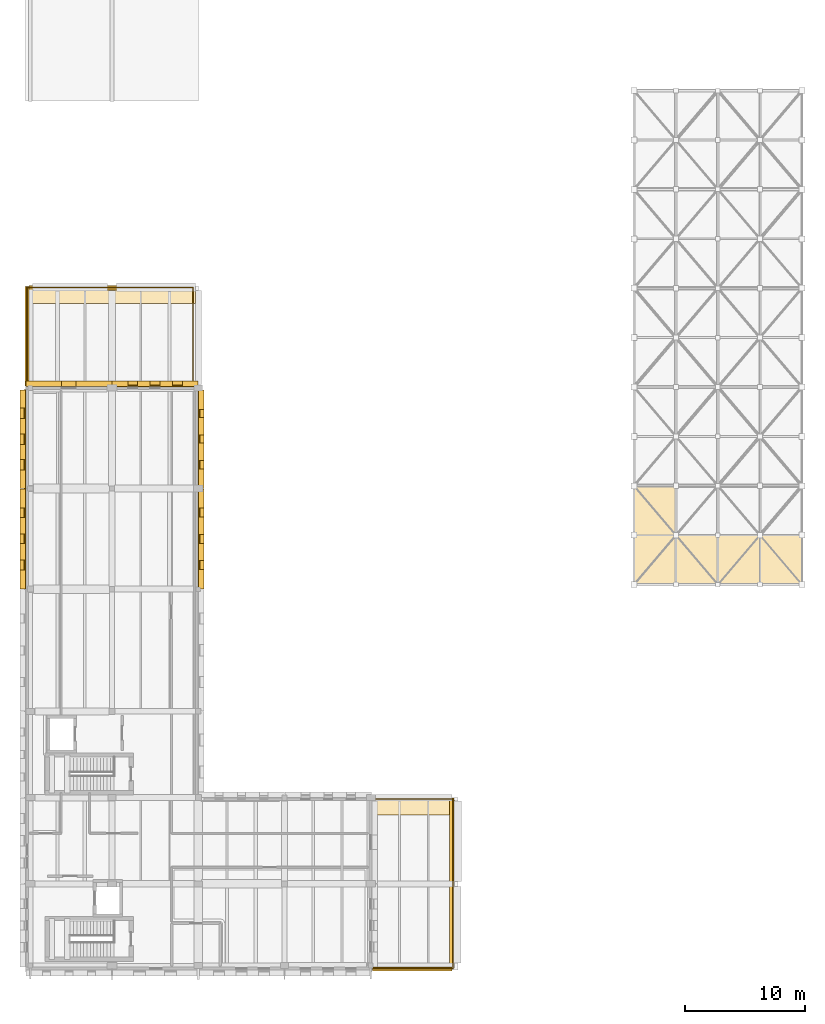
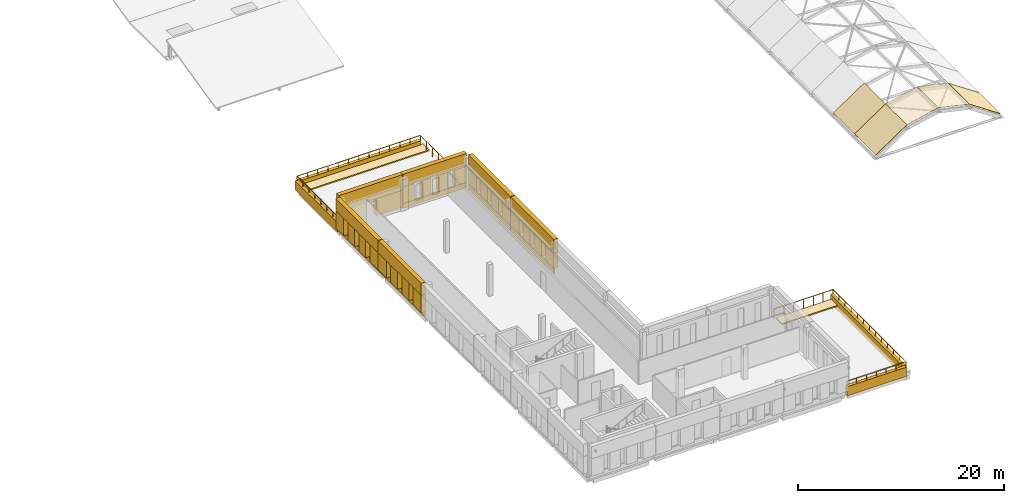
# One storey, part 14 of 15: 44 coverings, 2 railings.
"""IFC4 building model written with IfcOpenShell, lengths in metres."""

from ifc_helpers import new_model, si_unit, direction, frame, origin, origin_2d, place, context, subcontext, project, spatial, polyline, circle, outline, extrude, material, layer, layer_set, type_object, element, save


model = new_model("IFC4")

# Units and contexts
model_context = context("Model", 3, precision=1e-05, world=origin(), true_north=direction((0.0, 1.0)))
body_context = subcontext(model_context, "Body", "Model", "MODEL_VIEW")
ifc_project = project(units=[si_unit("LENGTHUNIT", "METRE"), si_unit("AREAUNIT", "SQUARE_METRE"), si_unit("VOLUMEUNIT", "CUBIC_METRE"), si_unit("PLANEANGLEUNIT", "RADIAN"), si_unit("MASSUNIT", "GRAM", prefix="KILO")], contexts=[model_context])

# Site, building, storey
site_placement = place(None, origin())
site = spatial("IfcSite", under=ifc_project, at=site_placement, CompositionType="ELEMENT")
building_placement = place(site_placement, origin())
building = spatial("IfcBuilding", under=site, at=building_placement, Name="Vardoun Plaza Health Centre", CompositionType="ELEMENT")
storey_placement = place(building_placement, frame((0.0, 0.0, 17.10009765625)))
storey = spatial("IfcBuildingStorey", under=building, at=storey_placement, Name="L04", CompositionType="ELEMENT", Elevation=17.10009765625)

# Coverings
ifc_material_1 = material(Name="Pale Limestone Concrete C35/45", Category="masonry")
ifc_layer_1 = layer(ifc_material_1, 0.080078125)
ifc_layer_set_1 = layer_set([ifc_layer_1], Name="Pale Limestone Concrete C35/45")
covering_type_1 = type_object("IfcCoveringType", Name="CL-EXT1", PredefinedType="CLADDING", material=ifc_layer_set_1)
covering_1_placement = place(storey_placement, frame((0.0, 0.0, 2.2099609375)))
element("IfcCovering", 1, at=covering_1_placement, inside=storey, type_object=covering_type_1, Name="V2 L04 Sculpted Concrete Eyebrow Hood 456", PredefinedType="CLADDING", context=body_context, shape_type="SweptSolid", body=[
    extrude(outline(polyline([(4.52001953125, 53.199951171875), (11.679931640625, 53.199951171875), (11.679931640625, 53.679931640625), (4.52001953125, 53.679931640625), (4.52001953125, 53.199951171875)])), origin(), (0.0, 0.0, 1.0), 1.83984375),
])
covering_2_placement = place(storey_placement, frame((0.0, 0.0, 0.18994140625)))
element("IfcCovering", 2, at=covering_2_placement, inside=storey, type_object=covering_type_1, Name="V2 L04 Deep-Punched Slot Concrete Reveal Pier 457", PredefinedType="CLADDING", context=body_context, shape_type="SweptSolid", body=[
    extrude(outline(polyline([(4.52001953125, 53.199951171875), (7.5048828125, 53.199951171875), (7.5048828125, 53.679931640625), (4.52001953125, 53.679931640625), (4.52001953125, 53.199951171875)])), origin(), (0.0, 0.0, 1.0), 2.02001953125),
])
covering_3_placement = place(storey_placement, frame((0.0, 0.0, 0.18994140625)))
element("IfcCovering", 3, at=covering_3_placement, inside=storey, type_object=covering_type_1, Name="V2 L04 Deep-Punched Slot Concrete Reveal Pier 458", PredefinedType="CLADDING", context=body_context, shape_type="SweptSolid", body=[
    extrude(outline(polyline([(8.695068359375, 53.199951171875), (11.679931640625, 53.199951171875), (11.679931640625, 53.679931640625), (8.695068359375, 53.679931640625), (8.695068359375, 53.199951171875)])), origin(), (0.0, 0.0, 1.0), 2.02001953125),
])
covering_4_placement = place(storey_placement, origin())
element("IfcCovering", 4, at=covering_4_placement, inside=storey, type_object=covering_type_1, Name="V2 L04 Pale Concrete Sill Band 459", PredefinedType="CLADDING", context=body_context, shape_type="SweptSolid", body=[
    extrude(outline(polyline([(11.719970703125, 53.199951171875), (18.8798828125, 53.199951171875), (18.8798828125, 53.340087890625), (11.719970703125, 53.340087890625), (11.719970703125, 53.199951171875)])), origin(), (0.0, 0.0, 1.0), 0.599853515625),
])
covering_5_placement = place(storey_placement, frame((0.0, 0.0, 2.5498046875)))
element("IfcCovering", 5, at=covering_5_placement, inside=storey, type_object=covering_type_1, Name="V2 L04 Sculpted Concrete Eyebrow Hood 460", PredefinedType="CLADDING", context=body_context, shape_type="SweptSolid", body=[
    extrude(outline(polyline([(11.719970703125, 53.199951171875), (18.8798828125, 53.199951171875), (18.8798828125, 53.679931640625), (11.719970703125, 53.679931640625), (11.719970703125, 53.199951171875)])), origin(), (0.0, 0.0, 1.0), 1.5),
])
covering_6_placement = place(storey_placement, frame((0.0, 0.0, 0.599853515625)))
element("IfcCovering", 6, at=covering_6_placement, inside=storey, type_object=covering_type_1, Name="V2 L04 Deep-Punched Slot Concrete Reveal Pier 461", PredefinedType="CLADDING", context=body_context, shape_type="SweptSolid", body=[
    extrude(outline(polyline([(11.719970703125, 53.199951171875), (13.01806640625, 53.199951171875), (13.01806640625, 53.679931640625), (11.719970703125, 53.679931640625), (11.719970703125, 53.199951171875)])), origin(), (0.0, 0.0, 1.0), 1.949951171875),
])
covering_7_placement = place(storey_placement, frame((0.0, 0.0, 0.599853515625)))
element("IfcCovering", 7, at=covering_7_placement, inside=storey, type_object=covering_type_1, Name="V2 L04 Deep-Punched Slot Concrete Reveal Pier 462", PredefinedType="CLADDING", context=body_context, shape_type="SweptSolid", body=[
    extrude(outline(polyline([(13.837890625, 53.199951171875), (14.889892578125, 53.199951171875), (14.889892578125, 53.679931640625), (13.837890625, 53.679931640625), (13.837890625, 53.199951171875)])), origin(), (0.0, 0.0, 1.0), 1.949951171875),
])
covering_8_placement = place(storey_placement, frame((0.0, 0.0, 0.599853515625)))
element("IfcCovering", 8, at=covering_8_placement, inside=storey, type_object=covering_type_1, Name="V2 L04 Deep-Punched Slot Concrete Reveal Pier 463", PredefinedType="CLADDING", context=body_context, shape_type="SweptSolid", body=[
    extrude(outline(polyline([(15.7099609375, 53.199951171875), (16.761962890625, 53.199951171875), (16.761962890625, 53.679931640625), (15.7099609375, 53.679931640625), (15.7099609375, 53.199951171875)])), origin(), (0.0, 0.0, 1.0), 1.949951171875),
])
covering_9_placement = place(storey_placement, frame((0.0, 0.0, 0.599853515625)))
element("IfcCovering", 9, at=covering_9_placement, inside=storey, type_object=covering_type_1, Name="V2 L04 Deep-Punched Slot Concrete Reveal Pier 464", PredefinedType="CLADDING", context=body_context, shape_type="SweptSolid", body=[
    extrude(outline(polyline([(17.58203125, 53.199951171875), (18.8798828125, 53.199951171875), (18.8798828125, 53.679931640625), (17.58203125, 53.679931640625), (17.58203125, 53.199951171875)])), origin(), (0.0, 0.0, 1.0), 1.949951171875),
])
covering_10_placement = place(storey_placement, origin())
element("IfcCovering", 10, at=covering_10_placement, inside=storey, type_object=covering_type_1, Name="V2 L04 Pale Concrete Sill Band 465", PredefinedType="CLADDING", context=body_context, shape_type="SweptSolid", body=[
    extrude(outline(polyline([(18.89990234375, 52.929931640625), (18.89990234375, 44.719970703125), (19.0400390625, 44.719970703125), (19.0400390625, 52.929931640625), (18.89990234375, 52.929931640625)])), origin(), (0.0, 0.0, 1.0), 0.599853515625),
])
covering_11_placement = place(storey_placement, frame((0.0, 0.0, 2.449951171875)))
element("IfcCovering", 11, at=covering_11_placement, inside=storey, type_object=covering_type_1, Name="V2 L04 Sculpted Concrete Eyebrow Hood 466", PredefinedType="CLADDING", context=body_context, shape_type="SweptSolid", body=[
    extrude(outline(polyline([(18.89990234375, 52.929931640625), (18.89990234375, 44.719970703125), (19.3798828125, 44.719970703125), (19.3798828125, 52.929931640625), (18.89990234375, 52.929931640625)])), origin(), (0.0, 0.0, 1.0), 1.599853515625),
])
covering_12_placement = place(storey_placement, frame((0.0, 0.0, 0.599853515625)))
element("IfcCovering", 12, at=covering_12_placement, inside=storey, type_object=covering_type_1, Name="V2 L04 Deep-Punched Slot Concrete Reveal Pier 467", PredefinedType="CLADDING", context=body_context, shape_type="SweptSolid", body=[
    extrude(outline(polyline([(18.89990234375, 52.929931640625), (18.89990234375, 51.31005859375), (19.3798828125, 51.31005859375), (19.3798828125, 52.929931640625), (18.89990234375, 52.929931640625)])), origin(), (0.0, 0.0, 1.0), 1.85009765625),
])
covering_13_placement = place(storey_placement, frame((0.0, 0.0, 0.599853515625)))
element("IfcCovering", 13, at=covering_13_placement, inside=storey, type_object=covering_type_1, Name="V2 L04 Deep-Punched Slot Concrete Reveal Pier 468", PredefinedType="CLADDING", context=body_context, shape_type="SweptSolid", body=[
    extrude(outline(polyline([(18.89990234375, 50.6298828125), (18.89990234375, 49.1650390625), (19.3798828125, 49.1650390625), (19.3798828125, 50.6298828125), (18.89990234375, 50.6298828125)])), origin(), (0.0, 0.0, 1.0), 1.85009765625),
])
covering_14_placement = place(storey_placement, frame((0.0, 0.0, 0.599853515625)))
element("IfcCovering", 14, at=covering_14_placement, inside=storey, type_object=covering_type_1, Name="V2 L04 Deep-Punched Slot Concrete Reveal Pier 469", PredefinedType="CLADDING", context=body_context, shape_type="SweptSolid", body=[
    extrude(outline(polyline([(18.89990234375, 48.485107421875), (18.89990234375, 47.02001953125), (19.3798828125, 47.02001953125), (19.3798828125, 48.485107421875), (18.89990234375, 48.485107421875)])), origin(), (0.0, 0.0, 1.0), 1.85009765625),
])
covering_15_placement = place(storey_placement, frame((0.0, 0.0, 0.599853515625)))
element("IfcCovering", 15, at=covering_15_placement, inside=storey, type_object=covering_type_1, Name="V2 L04 Deep-Punched Slot Concrete Reveal Pier 470", PredefinedType="CLADDING", context=body_context, shape_type="SweptSolid", body=[
    extrude(outline(polyline([(18.89990234375, 46.340087890625), (18.89990234375, 44.719970703125), (19.3798828125, 44.719970703125), (19.3798828125, 46.340087890625), (18.89990234375, 46.340087890625)])), origin(), (0.0, 0.0, 1.0), 1.85009765625),
])
covering_16_placement = place(storey_placement, origin())
element("IfcCovering", 16, at=covering_16_placement, inside=storey, type_object=covering_type_1, Name="V2 L04 Pale Concrete Sill Band 471", PredefinedType="CLADDING", context=body_context, shape_type="SweptSolid", body=[
    extrude(outline(polyline([(18.89990234375, 44.679931640625), (18.89990234375, 36.320068359375), (19.0400390625, 36.320068359375), (19.0400390625, 44.679931640625), (18.89990234375, 44.679931640625)])), origin(), (0.0, 0.0, 1.0), 0.599853515625),
])
covering_17_placement = place(storey_placement, frame((0.0, 0.0, 2.449951171875)))
element("IfcCovering", 17, at=covering_17_placement, inside=storey, type_object=covering_type_1, Name="V2 L04 Sculpted Concrete Eyebrow Hood 472", PredefinedType="CLADDING", context=body_context, shape_type="SweptSolid", body=[
    extrude(outline(polyline([(18.89990234375, 44.679931640625), (18.89990234375, 36.320068359375), (19.3798828125, 36.320068359375), (19.3798828125, 44.679931640625), (18.89990234375, 44.679931640625)])), origin(), (0.0, 0.0, 1.0), 1.599853515625),
])
covering_18_placement = place(storey_placement, frame((0.0, 0.0, 0.599853515625)))
element("IfcCovering", 18, at=covering_18_placement, inside=storey, type_object=covering_type_1, Name="V2 L04 Deep-Punched Slot Concrete Reveal Pier 473", PredefinedType="CLADDING", context=body_context, shape_type="SweptSolid", body=[
    extrude(outline(polyline([(18.89990234375, 44.679931640625), (18.89990234375, 43.06396484375), (19.3798828125, 43.06396484375), (19.3798828125, 44.679931640625), (18.89990234375, 44.679931640625)])), origin(), (0.0, 0.0, 1.0), 1.85009765625),
])
covering_19_placement = place(storey_placement, frame((0.0, 0.0, 0.599853515625)))
element("IfcCovering", 19, at=covering_19_placement, inside=storey, type_object=covering_type_1, Name="V2 L04 Deep-Punched Slot Concrete Reveal Pier 474", PredefinedType="CLADDING", context=body_context, shape_type="SweptSolid", body=[
    extrude(outline(polyline([(18.89990234375, 42.303955078125), (18.89990234375, 40.8798828125), (19.3798828125, 40.8798828125), (19.3798828125, 42.303955078125), (18.89990234375, 42.303955078125)])), origin(), (0.0, 0.0, 1.0), 1.85009765625),
])
covering_20_placement = place(storey_placement, frame((0.0, 0.0, 0.599853515625)))
element("IfcCovering", 20, at=covering_20_placement, inside=storey, type_object=covering_type_1, Name="V2 L04 Deep-Punched Slot Concrete Reveal Pier 475", PredefinedType="CLADDING", context=body_context, shape_type="SweptSolid", body=[
    extrude(outline(polyline([(18.89990234375, 40.1201171875), (18.89990234375, 38.696044921875), (19.3798828125, 38.696044921875), (19.3798828125, 40.1201171875), (18.89990234375, 40.1201171875)])), origin(), (0.0, 0.0, 1.0), 1.85009765625),
])
covering_21_placement = place(storey_placement, frame((0.0, 0.0, 0.599853515625)))
element("IfcCovering", 21, at=covering_21_placement, inside=storey, type_object=covering_type_1, Name="V2 L04 Deep-Punched Slot Concrete Reveal Pier 476", PredefinedType="CLADDING", context=body_context, shape_type="SweptSolid", body=[
    extrude(outline(polyline([(18.89990234375, 37.93603515625), (18.89990234375, 36.320068359375), (19.3798828125, 36.320068359375), (19.3798828125, 37.93603515625), (18.89990234375, 37.93603515625)])), origin(), (0.0, 0.0, 1.0), 1.85009765625),
])
covering_22_placement = place(storey_placement, origin())
element("IfcCovering", 22, at=covering_22_placement, inside=storey, type_object=covering_type_1, Name="V2 L04 Pale Concrete Sill Band 556", PredefinedType="CLADDING", context=body_context, shape_type="SweptSolid", body=[
    extrude(outline(polyline([(4.5, 36.320068359375), (4.5, 44.679931640625), (4.360107421875, 44.679931640625), (4.360107421875, 36.320068359375), (4.5, 36.320068359375)])), origin(), (0.0, 0.0, 1.0), 0.5498046875),
])
covering_23_placement = place(storey_placement, frame((0.0, 0.0, 2.60986328125)))
element("IfcCovering", 23, at=covering_23_placement, inside=storey, type_object=covering_type_1, Name="V2 L04 Sculpted Concrete Eyebrow Hood 557", PredefinedType="CLADDING", context=body_context, shape_type="SweptSolid", body=[
    extrude(outline(polyline([(4.5, 36.320068359375), (4.5, 44.679931640625), (4.02001953125, 44.679931640625), (4.02001953125, 36.320068359375), (4.5, 36.320068359375)])), origin(), (0.0, 0.0, 1.0), 1.43994140625),
])
covering_24_placement = place(storey_placement, frame((0.0, 0.0, 0.5498046875)))
element("IfcCovering", 24, at=covering_24_placement, inside=storey, type_object=covering_type_1, Name="V2 L04 Deep-Punched Slot Concrete Reveal Pier 558", PredefinedType="CLADDING", context=body_context, shape_type="SweptSolid", body=[
    extrude(outline(polyline([(4.5, 36.320068359375), (4.5, 37.910888671875), (4.02001953125, 37.910888671875), (4.02001953125, 36.320068359375), (4.5, 36.320068359375)])), origin(), (0.0, 0.0, 1.0), 2.06005859375),
])
covering_25_placement = place(storey_placement, frame((0.0, 0.0, 0.5498046875)))
element("IfcCovering", 25, at=covering_25_placement, inside=storey, type_object=covering_type_1, Name="V2 L04 Deep-Punched Slot Concrete Reveal Pier 559", PredefinedType="CLADDING", context=body_context, shape_type="SweptSolid", body=[
    extrude(outline(polyline([(4.5, 38.720947265625), (4.5, 40.094970703125), (4.02001953125, 40.094970703125), (4.02001953125, 38.720947265625), (4.5, 38.720947265625)])), origin(), (0.0, 0.0, 1.0), 2.06005859375),
])
covering_26_placement = place(storey_placement, frame((0.0, 0.0, 0.5498046875)))
element("IfcCovering", 26, at=covering_26_placement, inside=storey, type_object=covering_type_1, Name="V2 L04 Deep-Punched Slot Concrete Reveal Pier 560", PredefinedType="CLADDING", context=body_context, shape_type="SweptSolid", body=[
    extrude(outline(polyline([(4.5, 40.905029296875), (4.5, 42.279052734375), (4.02001953125, 42.279052734375), (4.02001953125, 40.905029296875), (4.5, 40.905029296875)])), origin(), (0.0, 0.0, 1.0), 2.06005859375),
])
covering_27_placement = place(storey_placement, frame((0.0, 0.0, 0.5498046875)))
element("IfcCovering", 27, at=covering_27_placement, inside=storey, type_object=covering_type_1, Name="V2 L04 Deep-Punched Slot Concrete Reveal Pier 561", PredefinedType="CLADDING", context=body_context, shape_type="SweptSolid", body=[
    extrude(outline(polyline([(4.5, 43.089111328125), (4.5, 44.679931640625), (4.02001953125, 44.679931640625), (4.02001953125, 43.089111328125), (4.5, 43.089111328125)])), origin(), (0.0, 0.0, 1.0), 2.06005859375),
])
covering_28_placement = place(storey_placement, origin())
element("IfcCovering", 28, at=covering_28_placement, inside=storey, type_object=covering_type_1, Name="V2 L04 Pale Concrete Sill Band 562", PredefinedType="CLADDING", context=body_context, shape_type="SweptSolid", body=[
    extrude(outline(polyline([(4.5, 44.719970703125), (4.5, 52.929931640625), (4.360107421875, 52.929931640625), (4.360107421875, 44.719970703125), (4.5, 44.719970703125)])), origin(), (0.0, 0.0, 1.0), 0.5498046875),
])
covering_29_placement = place(storey_placement, frame((0.0, 0.0, 2.60986328125)))
element("IfcCovering", 29, at=covering_29_placement, inside=storey, type_object=covering_type_1, Name="V2 L04 Sculpted Concrete Eyebrow Hood 563", PredefinedType="CLADDING", context=body_context, shape_type="SweptSolid", body=[
    extrude(outline(polyline([(4.5, 44.719970703125), (4.5, 52.929931640625), (4.02001953125, 52.929931640625), (4.02001953125, 44.719970703125), (4.5, 44.719970703125)])), origin(), (0.0, 0.0, 1.0), 1.43994140625),
])
covering_30_placement = place(storey_placement, frame((0.0, 0.0, 0.5498046875)))
element("IfcCovering", 30, at=covering_30_placement, inside=storey, type_object=covering_type_1, Name="V2 L04 Deep-Punched Slot Concrete Reveal Pier 564", PredefinedType="CLADDING", context=body_context, shape_type="SweptSolid", body=[
    extrude(outline(polyline([(4.5, 44.719970703125), (4.5, 46.2451171875), (4.02001953125, 46.2451171875), (4.02001953125, 44.719970703125), (4.5, 44.719970703125)])), origin(), (0.0, 0.0, 1.0), 2.06005859375),
])
covering_31_placement = place(storey_placement, frame((0.0, 0.0, 0.5498046875)))
element("IfcCovering", 31, at=covering_31_placement, inside=storey, type_object=covering_type_1, Name="V2 L04 Deep-Punched Slot Concrete Reveal Pier 565", PredefinedType="CLADDING", context=body_context, shape_type="SweptSolid", body=[
    extrude(outline(polyline([(4.5, 47.114990234375), (4.5, 48.389892578125), (4.02001953125, 48.389892578125), (4.02001953125, 47.114990234375), (4.5, 47.114990234375)])), origin(), (0.0, 0.0, 1.0), 2.06005859375),
])
covering_32_placement = place(storey_placement, frame((0.0, 0.0, 0.5498046875)))
element("IfcCovering", 32, at=covering_32_placement, inside=storey, type_object=covering_type_1, Name="V2 L04 Deep-Punched Slot Concrete Reveal Pier 566", PredefinedType="CLADDING", context=body_context, shape_type="SweptSolid", body=[
    extrude(outline(polyline([(4.5, 49.260009765625), (4.5, 50.534912109375), (4.02001953125, 50.534912109375), (4.02001953125, 49.260009765625), (4.5, 49.260009765625)])), origin(), (0.0, 0.0, 1.0), 2.06005859375),
])
covering_33_placement = place(storey_placement, frame((0.0, 0.0, 0.5498046875)))
element("IfcCovering", 33, at=covering_33_placement, inside=storey, type_object=covering_type_1, Name="V2 L04 Deep-Punched Slot Concrete Reveal Pier 567", PredefinedType="CLADDING", context=body_context, shape_type="SweptSolid", body=[
    extrude(outline(polyline([(4.5, 51.405029296875), (4.5, 52.929931640625), (4.02001953125, 52.929931640625), (4.02001953125, 51.405029296875), (4.5, 51.405029296875)])), origin(), (0.0, 0.0, 1.0), 2.06005859375),
])
covering_34_placement = place(storey_placement, frame((0.0, 0.0, -0.280029296875)))
element("IfcCovering", 34, at=covering_34_placement, inside=storey, type_object=covering_type_1, Name="V2 L04 Sculpted White Terrace Planter Ribbon W1", PredefinedType="CLADDING", context=body_context, shape_type="SweptSolid", body=[
    extrude(outline(polyline([(4.419921875, 53.25), (4.780029296875, 53.25), (4.780029296875, 61.550048828125), (4.419921875, 61.550048828125), (4.419921875, 53.25)])), origin(), (0.0, 0.0, 1.0), 1.08984375),
])
covering_35_placement = place(storey_placement, frame((0.0, 0.0, -0.280029296875)))
element("IfcCovering", 35, at=covering_35_placement, inside=storey, type_object=covering_type_1, Name="V2 L04 Sculpted White Terrace Planter Ribbon N1", PredefinedType="CLADDING", context=body_context, shape_type="SweptSolid", body=[
    extrude(outline(polyline([(4.780029296875, 61.280029296875), (18.39990234375, 61.280029296875), (18.39990234375, 61.659912109375), (4.780029296875, 61.659912109375), (4.780029296875, 61.280029296875)])), origin(), (0.0, 0.0, 1.0), 1.08984375),
])
covering_36_placement = place(storey_placement, frame((0.0, 0.0, -0.280029296875)))
element("IfcCovering", 36, at=covering_36_placement, inside=storey, type_object=covering_type_1, Name="V2 L04 Sculpted White Terrace Planter Ribbon S2", PredefinedType="CLADDING", context=body_context, shape_type="SweptSolid", body=[
    extrude(outline(polyline([(33.449951171875, 4.419921875), (40.10009765625, 4.419921875), (40.10009765625, 4.780029296875), (33.449951171875, 4.780029296875), (33.449951171875, 4.419921875)])), origin(), (0.0, 0.0, 1.0), 1.08984375),
])
covering_37_placement = place(storey_placement, frame((0.0, 0.0, -0.280029296875)))
element("IfcCovering", 37, at=covering_37_placement, inside=storey, type_object=covering_type_1, Name="V2 L04 Sculpted White Terrace Planter Ribbon E2", PredefinedType="CLADDING", context=body_context, shape_type="SweptSolid", body=[
    extrude(outline(polyline([(39.8798828125, 4.780029296875), (40.239990234375, 4.780029296875), (40.239990234375, 18.85009765625), (39.8798828125, 18.85009765625), (39.8798828125, 4.780029296875)])), origin(), (0.0, 0.0, 1.0), 1.08984375),
])
ifc_material_2 = material(Name="Planted Mediterranean Garden Substrate", Category="wood")
ifc_layer_2 = layer(ifc_material_2, 0.139892578125)
ifc_layer_set_2 = layer_set([ifc_layer_2], Name="Planted Mediterranean Garden Substrate")
covering_type_2 = type_object("IfcCoveringType", Name="CV-G1", PredefinedType="ROOFING", material=ifc_layer_set_2)
covering_38_placement = place(storey_placement, frame((0.0, 0.0, 0.18994140625)))
element("IfcCovering", 38, at=covering_38_placement, inside=storey, type_object=covering_type_2, Name="V2 L04 Garden Planter Bed 1", PredefinedType="ROOFING", context=body_context, shape_type="SweptSolid", body=[
    extrude(outline(polyline([(4.75, 60.14990234375), (18.64990234375, 60.14990234375), (18.64990234375, 61.35009765625), (4.75, 61.35009765625), (4.75, 60.14990234375)])), origin(), (0.0, 0.0, 1.0), 0.139892578125),
])
covering_39_placement = place(storey_placement, frame((0.0, 0.0, 0.18994140625)))
element("IfcCovering", 39, at=covering_39_placement, inside=storey, type_object=covering_type_2, Name="V2 L04 Garden Planter Bed 2", PredefinedType="ROOFING", context=body_context, shape_type="SweptSolid", body=[
    extrude(outline(polyline([(33.64990234375, 17.449951171875), (40.35009765625, 17.449951171875), (40.35009765625, 18.64990234375), (33.64990234375, 18.64990234375), (33.64990234375, 17.449951171875)])), origin(), (0.0, 0.0, 1.0), 0.139892578125),
])
ifc_material_3 = material(Name="EPDM Insulated Roof Membrane", Category="concrete")
ifc_layer_3 = layer(ifc_material_3, 0.044921875)
ifc_layer_set_3 = layer_set([ifc_layer_3], Name="EPDM Insulated Roof Membrane")
covering_type_3 = type_object("IfcCoveringType", Name="CV-M1", PredefinedType="ROOFING", material=ifc_layer_set_3)
covering_40_placement = place(storey_placement, frame((55.27001953125, 36.679931640625, 1.1298828125), z_axis=(-0.558944988892, 0.0, 0.829204739128), x_axis=(0.829204739128, 0.0, 0.558944988892)))
element("IfcCovering", 40, at=covering_40_placement, inside=storey, type_object=covering_type_3, Name="Gridshell Vault Cladding 1.3", PredefinedType="ROOFING", context=body_context, shape_type="SweptSolid", body=[
    extrude(outline(polyline([(0.0, 0.0), (4.226800266706805, 0.0), (4.226800266706805, 4.1240234375), (0.0, 4.1240234375), (0.0, 0.0)])), origin(), (0.0, 0.0, -1.0), 0.044921875),
])
covering_41_placement = place(storey_placement, frame((58.77490234375, 36.679931640625, 3.492431640625), z_axis=(-0.221576559251, 0.0, 0.975142978435), x_axis=(0.975142978435, 0.0, 0.221576559251)))
element("IfcCovering", 41, at=covering_41_placement, inside=storey, type_object=covering_type_3, Name="Gridshell Vault Cladding 1.4", PredefinedType="ROOFING", context=body_context, shape_type="SweptSolid", body=[
    extrude(outline(polyline([(0.0, 0.0), (3.5534152091084232, 0.0), (3.5534152091084232, 4.1240234375), (0.0, 4.1240234375), (0.0, 0.0)])), origin(), (0.0, 0.0, -1.0), 0.044921875),
])
covering_42_placement = place(storey_placement, frame((62.320068359375, 36.679931640625, 4.27978515625), z_axis=(0.221591405425, 0.0, 0.975139604898), x_axis=(0.975139604898, 0.0, -0.221591405425)))
element("IfcCovering", 42, at=covering_42_placement, inside=storey, type_object=covering_type_3, Name="Gridshell Vault Cladding 1.5", PredefinedType="ROOFING", context=body_context, shape_type="SweptSolid", body=[
    extrude(outline(polyline([(0.0, 0.0), (3.5531771375039987, 0.0), (3.5531771375039987, 4.1240234375), (0.0, 4.1240234375), (0.0, 0.0)])), origin(), (0.0, 0.0, -1.0), 0.044921875),
])
covering_43_placement = place(storey_placement, frame((65.784912109375, 36.679931640625, 3.492431640625), z_axis=(0.558918219218, 0.0, 0.829222783229), x_axis=(0.829222783229, 0.0, -0.558918219218)))
element("IfcCovering", 43, at=covering_43_placement, inside=storey, type_object=covering_type_3, Name="Gridshell Vault Cladding 1.6", PredefinedType="ROOFING", context=body_context, shape_type="SweptSolid", body=[
    extrude(outline(polyline([(0.0, 0.0), (4.227002711472771, 0.0), (4.227002711472771, 4.1240234375), (0.0, 4.1240234375), (0.0, 0.0)])), origin(), (0.0, 0.0, -1.0), 0.044921875),
])
covering_44_placement = place(storey_placement, frame((55.27001953125, 40.803955078125, 1.1298828125), z_axis=(-0.558944988892, 0.0, 0.829204739128), x_axis=(0.829204739128, 0.0, 0.558944988892)))
element("IfcCovering", 44, at=covering_44_placement, inside=storey, type_object=covering_type_3, Name="Gridshell Vault Cladding 2.3", PredefinedType="ROOFING", context=body_context, shape_type="SweptSolid", body=[
    extrude(outline(polyline([(0.0, 0.0), (4.226800266706805, 0.0), (4.226800266706805, 4.1240234375), (0.0, 4.1240234375), (0.0, 0.0)])), origin(), (0.0, 0.0, -1.0), 0.044921875),
])

# Railings
ifc_material_4 = material(Name="Galvanised Steel S275JR and Laminated Glass", Category="steel")
railing_type = type_object("IfcRailingType", Name="GR-01", PredefinedType="BALUSTRADE", material=ifc_material_4)
railing_1_placement = place(storey_placement, frame((4.6201171875, 53.320068359375, 0.18994140625)))
element("IfcRailing", 45, at=railing_1_placement, inside=storey, type_object=railing_type, Name="V2 L04 Terrace Balustrade 1", PredefinedType="BALUSTRADE", context=body_context, shape_type="SweptSolid", body=[
    extrude(circle(Radius=0.02392578125, at=origin_2d()), frame((0.0, 0.0, 1.1259765625), z_axis=(0.0, 1.0, 0.0), x_axis=(-1.0, 0.0, 0.0)), (0.0, 0.0, 1.0), 8.159912109375),
    extrude(circle(Radius=0.02392578125, at=origin_2d()), frame((0.0, 8.159912109375, 1.1259765625), z_axis=(1.0, 0.0, 0.0), x_axis=(0.0, 1.0, 0.0)), (0.0, 0.0, 1.0), 13.829833984375),
    extrude(circle(Radius=0.02392578125, at=origin_2d()), frame((13.829833984375, 8.159912109375, 1.1259765625), z_axis=(0.0, -1.0, 0.0), x_axis=(1.0, 0.0, 0.0)), (0.0, 0.0, 1.0), 8.159912109375),
    extrude(circle(Radius=0.02099609375, at=origin_2d()), origin(), (0.0, 0.0, 1.0), 1.101806640625),
    extrude(circle(Radius=0.02099609375, at=origin_2d()), frame((0.0, 1.165771484375, 0.0)), (0.0, 0.0, 1.0), 1.101806640625),
    extrude(circle(Radius=0.02099609375, at=origin_2d()), frame((0.0, 2.331298828125, 0.0)), (0.0, 0.0, 1.0), 1.101806640625),
    extrude(circle(Radius=0.02099609375, at=origin_2d()), frame((0.0, 3.4970703125, 0.0)), (0.0, 0.0, 1.0), 1.101806640625),
    extrude(circle(Radius=0.02099609375, at=origin_2d()), frame((0.0, 4.662841796875, 0.0)), (0.0, 0.0, 1.0), 1.101806640625),
    extrude(circle(Radius=0.02099609375, at=origin_2d()), frame((0.0, 5.82861328125, 0.0)), (0.0, 0.0, 1.0), 1.101806640625),
    extrude(circle(Radius=0.02099609375, at=origin_2d()), frame((0.0, 6.994140625, 0.0)), (0.0, 0.0, 1.0), 1.101806640625),
    extrude(circle(Radius=0.02099609375, at=origin_2d()), frame((0.0, 8.159912109375, 0.0)), (0.0, 0.0, 1.0), 1.101806640625),
    extrude(circle(Radius=0.02099609375, at=origin_2d()), frame((1.152587890625, 8.159912109375, 0.0)), (0.0, 0.0, 1.0), 1.101806640625),
    extrude(circle(Radius=0.02099609375, at=origin_2d()), frame((2.304931640625, 8.159912109375, 0.0)), (0.0, 0.0, 1.0), 1.101806640625),
    extrude(circle(Radius=0.02099609375, at=origin_2d()), frame((3.45751953125, 8.159912109375, 0.0)), (0.0, 0.0, 1.0), 1.101806640625),
    extrude(circle(Radius=0.02099609375, at=origin_2d()), frame((4.60986328125, 8.159912109375, 0.0)), (0.0, 0.0, 1.0), 1.101806640625),
    extrude(circle(Radius=0.02099609375, at=origin_2d()), frame((5.762451171875, 8.159912109375, 0.0)), (0.0, 0.0, 1.0), 1.101806640625),
    extrude(circle(Radius=0.02099609375, at=origin_2d()), frame((6.9150390625, 8.159912109375, 0.0)), (0.0, 0.0, 1.0), 1.101806640625),
    extrude(circle(Radius=0.02099609375, at=origin_2d()), frame((8.0673828125, 8.159912109375, 0.0)), (0.0, 0.0, 1.0), 1.101806640625),
    extrude(circle(Radius=0.02099609375, at=origin_2d()), frame((9.219970703125, 8.159912109375, 0.0)), (0.0, 0.0, 1.0), 1.101806640625),
    extrude(circle(Radius=0.02099609375, at=origin_2d()), frame((10.372314453125, 8.159912109375, 0.0)), (0.0, 0.0, 1.0), 1.101806640625),
    extrude(circle(Radius=0.02099609375, at=origin_2d()), frame((11.52490234375, 8.159912109375, 0.0)), (0.0, 0.0, 1.0), 1.101806640625),
    extrude(circle(Radius=0.02099609375, at=origin_2d()), frame((12.67724609375, 8.159912109375, 0.0)), (0.0, 0.0, 1.0), 1.101806640625),
    extrude(circle(Radius=0.02099609375, at=origin_2d()), frame((13.829833984375, 8.159912109375, 0.0)), (0.0, 0.0, 1.0), 1.101806640625),
    extrude(circle(Radius=0.02099609375, at=origin_2d()), frame((13.829833984375, 6.994140625, 0.0)), (0.0, 0.0, 1.0), 1.101806640625),
    extrude(circle(Radius=0.02099609375, at=origin_2d()), frame((13.829833984375, 5.82861328125, 0.0)), (0.0, 0.0, 1.0), 1.101806640625),
    extrude(circle(Radius=0.02099609375, at=origin_2d()), frame((13.829833984375, 4.662841796875, 0.0)), (0.0, 0.0, 1.0), 1.101806640625),
    extrude(circle(Radius=0.02099609375, at=origin_2d()), frame((13.829833984375, 3.4970703125, 0.0)), (0.0, 0.0, 1.0), 1.101806640625),
    extrude(circle(Radius=0.02099609375, at=origin_2d()), frame((13.829833984375, 2.331298828125, 0.0)), (0.0, 0.0, 1.0), 1.101806640625),
    extrude(circle(Radius=0.02099609375, at=origin_2d()), frame((13.829833984375, 1.165771484375, 0.0)), (0.0, 0.0, 1.0), 1.101806640625),
    extrude(circle(Radius=0.02099609375, at=origin_2d()), frame((13.829833984375, 0.0, 0.0)), (0.0, 0.0, 1.0), 1.101806640625),
])
railing_2_placement = place(storey_placement, frame((33.52001953125, 4.6201171875, 0.18994140625)))
element("IfcRailing", 46, at=railing_2_placement, inside=storey, type_object=railing_type, Name="V2 L04 Terrace Balustrade 2", PredefinedType="BALUSTRADE", context=body_context, shape_type="SweptSolid", body=[
    extrude(circle(Radius=0.02392578125, at=origin_2d()), frame((0.0, 0.0, 1.1259765625), z_axis=(1.0, 0.0, 0.0), x_axis=(0.0, 1.0, 0.0)), (0.0, 0.0, 1.0), 6.6298828125),
    extrude(circle(Radius=0.02392578125, at=origin_2d()), frame((6.6298828125, 0.0, 1.1259765625), z_axis=(0.0, 1.0, 0.0), x_axis=(-1.0, 0.0, 0.0)), (0.0, 0.0, 1.0), 14.159912109375),
    extrude(circle(Radius=0.02392578125, at=origin_2d()), frame((6.6298828125, 14.159912109375, 1.1259765625), z_axis=(-1.0, 0.0, 0.0), x_axis=(0.0, -1.0, 0.0)), (0.0, 0.0, 1.0), 6.6298828125),
    extrude(circle(Radius=0.02099609375, at=origin_2d()), origin(), (0.0, 0.0, 1.0), 1.101806640625),
    extrude(circle(Radius=0.02099609375, at=origin_2d()), frame((1.10498046875, 0.0, 0.0)), (0.0, 0.0, 1.0), 1.101806640625),
    extrude(circle(Radius=0.02099609375, at=origin_2d()), frame((2.2099609375, 0.0, 0.0)), (0.0, 0.0, 1.0), 1.101806640625),
    extrude(circle(Radius=0.02099609375, at=origin_2d()), frame((3.31494140625, 0.0, 0.0)), (0.0, 0.0, 1.0), 1.101806640625),
    extrude(circle(Radius=0.02099609375, at=origin_2d()), frame((4.419921875, 0.0, 0.0)), (0.0, 0.0, 1.0), 1.101806640625),
    extrude(circle(Radius=0.02099609375, at=origin_2d()), frame((5.52490234375, 0.0, 0.0)), (0.0, 0.0, 1.0), 1.101806640625),
    extrude(circle(Radius=0.02099609375, at=origin_2d()), frame((6.6298828125, 0.0, 0.0)), (0.0, 0.0, 1.0), 1.101806640625),
    extrude(circle(Radius=0.02099609375, at=origin_2d()), frame((6.6298828125, 1.179931640625, 0.0)), (0.0, 0.0, 1.0), 1.101806640625),
    extrude(circle(Radius=0.02099609375, at=origin_2d()), frame((6.6298828125, 2.35986328125, 0.0)), (0.0, 0.0, 1.0), 1.101806640625),
    extrude(circle(Radius=0.02099609375, at=origin_2d()), frame((6.6298828125, 3.5400390625, 0.0)), (0.0, 0.0, 1.0), 1.101806640625),
    extrude(circle(Radius=0.02099609375, at=origin_2d()), frame((6.6298828125, 4.719970703125, 0.0)), (0.0, 0.0, 1.0), 1.101806640625),
    extrude(circle(Radius=0.02099609375, at=origin_2d()), frame((6.6298828125, 5.89990234375, 0.0)), (0.0, 0.0, 1.0), 1.101806640625),
    extrude(circle(Radius=0.02099609375, at=origin_2d()), frame((6.6298828125, 7.080078125, 0.0)), (0.0, 0.0, 1.0), 1.101806640625),
    extrude(circle(Radius=0.02099609375, at=origin_2d()), frame((6.6298828125, 8.260009765625, 0.0)), (0.0, 0.0, 1.0), 1.101806640625),
    extrude(circle(Radius=0.02099609375, at=origin_2d()), frame((6.6298828125, 9.43994140625, 0.0)), (0.0, 0.0, 1.0), 1.101806640625),
    extrude(circle(Radius=0.02099609375, at=origin_2d()), frame((6.6298828125, 10.619873046875, 0.0)), (0.0, 0.0, 1.0), 1.101806640625),
    extrude(circle(Radius=0.02099609375, at=origin_2d()), frame((6.6298828125, 11.7998046875, 0.0)), (0.0, 0.0, 1.0), 1.101806640625),
    extrude(circle(Radius=0.02099609375, at=origin_2d()), frame((6.6298828125, 12.97998046875, 0.0)), (0.0, 0.0, 1.0), 1.101806640625),
    extrude(circle(Radius=0.02099609375, at=origin_2d()), frame((6.6298828125, 14.159912109375, 0.0)), (0.0, 0.0, 1.0), 1.101806640625),
    extrude(circle(Radius=0.02099609375, at=origin_2d()), frame((5.52490234375, 14.159912109375, 0.0)), (0.0, 0.0, 1.0), 1.101806640625),
    extrude(circle(Radius=0.02099609375, at=origin_2d()), frame((4.419921875, 14.159912109375, 0.0)), (0.0, 0.0, 1.0), 1.101806640625),
    extrude(circle(Radius=0.02099609375, at=origin_2d()), frame((3.31494140625, 14.159912109375, 0.0)), (0.0, 0.0, 1.0), 1.101806640625),
    extrude(circle(Radius=0.02099609375, at=origin_2d()), frame((2.2099609375, 14.159912109375, 0.0)), (0.0, 0.0, 1.0), 1.101806640625),
    extrude(circle(Radius=0.02099609375, at=origin_2d()), frame((1.10498046875, 14.159912109375, 0.0)), (0.0, 0.0, 1.0), 1.101806640625),
    extrude(circle(Radius=0.02099609375, at=origin_2d()), frame((0.0, 14.159912109375, 0.0)), (0.0, 0.0, 1.0), 1.101806640625),
])

save(model, "model.ifc")
